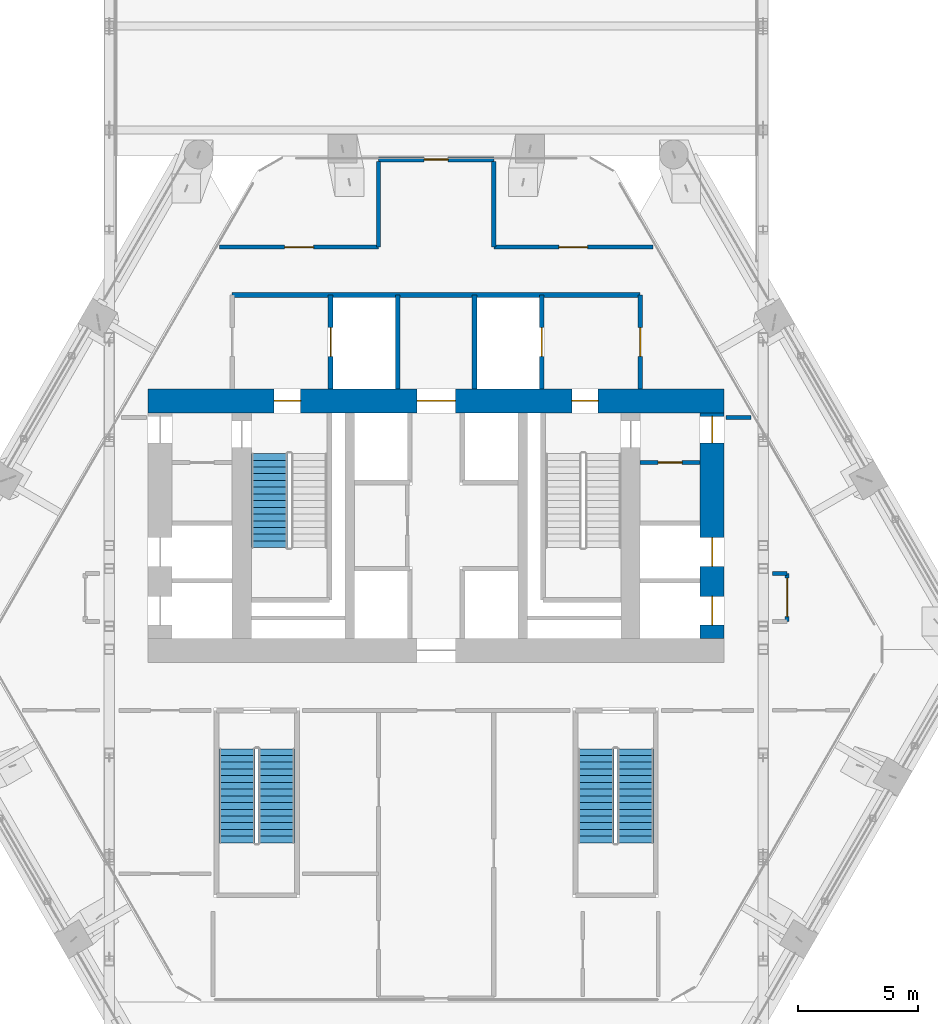
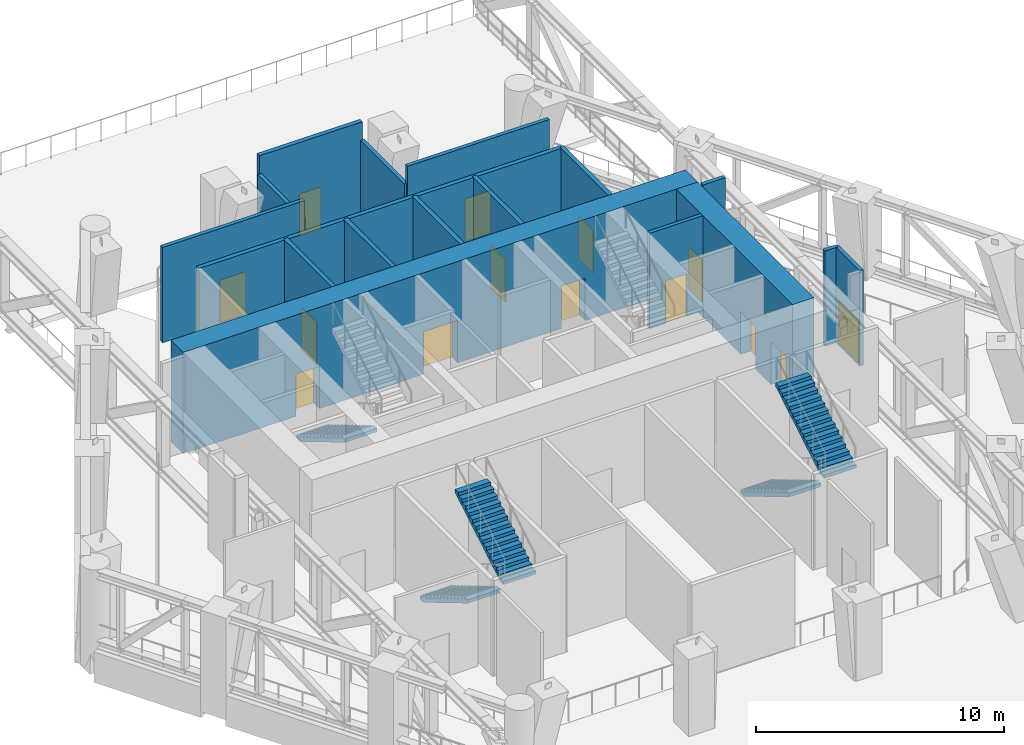
# One storey, part 11 of 22: 17 walls, 14 doors, 5 stair flights, 14 openings, 3 elements without a shape of their own.
"""IFC4 building model written with IfcOpenShell, lengths in metres."""

import ifcopenshell
import ifcopenshell.guid

model = None  # the IFC model being written
_history = None  # IfcOwnerHistory: only IFC2X3 demands one
_inside = {}  # id of a spatial element -> (the spatial element, [elements in it])
_under = {}  # id of a project, library or spatial element -> (it, [spatial elements below it])
_declared = {}  # id of a project -> (the project, [libraries it declares])
_typed = {}  # id of a type object -> (the type object, [elements of that type])
_made_of = {}  # id of a material, layer set ... -> (it, [elements and type objects made of it])


def new_model(schema):
    """Start an empty IFC model of exactly this schema.

    Asked for "IFC4X3", IfcOpenShell would pick the latest addendum, in which some entities
    have other attributes; the version numbers below select the first issue.
    IFC2X3 requires an IfcOwnerHistory on every rooted entity: one is made here for all.
    """
    global model, _history
    if schema == "IFC4X3":
        model = ifcopenshell.file(schema_version=(4, 3, 0, 0))
    else:
        model = ifcopenshell.file(schema=schema)
    _inside.clear()
    _under.clear()
    _declared.clear()
    _typed.clear()
    _made_of.clear()
    _history = None
    if model.schema == "IFC2X3":
        org = make("IfcOrganization", Name="unknown")
        user = make(
            "IfcPersonAndOrganization",
            ThePerson=make("IfcPerson", FamilyName="unknown"),
            TheOrganization=org,
        )
        app = make(
            "IfcApplication",
            ApplicationDeveloper=org,
            Version="unknown",
            ApplicationFullName="unknown",
            ApplicationIdentifier="unknown",
        )
        _history = make(
            "IfcOwnerHistory",
            OwningUser=user,
            OwningApplication=app,
            ChangeAction="ADDED",
            CreationDate=0,
        )
    return model


def make(cls, **values):
    """One entity of the class cls with the attributes given. An attribute that is None is left unset."""
    return model.create_entity(
        cls, **{name: value for name, value in values.items() if value is not None}
    )


def rooted(cls, **values):
    """An entity with a GlobalId (a new one), such as an element, a storey or a relation."""
    return make(cls, GlobalId=ifcopenshell.guid.new(), OwnerHistory=_history, **values)


def si_unit(unit_type, name, prefix=None):
    """IfcSIUnit, for example si_unit("LENGTHUNIT", "METRE", prefix="MILLI")."""
    return make("IfcSIUnit", UnitType=unit_type, Prefix=prefix, Name=name)


def assignment(units):
    """IfcUnitAssignment: the units of a project."""
    return None if units is None else make("IfcUnitAssignment", Units=units)


def point(xyz):
    """IfcCartesianPoint."""
    return None if xyz is None else make("IfcCartesianPoint", Coordinates=xyz)


def direction(xyz):
    """IfcDirection."""
    return None if xyz is None else make("IfcDirection", DirectionRatios=xyz)


def frame(location, z_axis=None, x_axis=None):
    """IfcAxis2Placement3D, a coordinate frame: its origin and axes. An axis left out is left unset."""
    return make(
        "IfcAxis2Placement3D",
        Location=point(location),
        Axis=direction(z_axis),
        RefDirection=direction(x_axis),
    )


def frame_2d(location, x_axis=None):
    """IfcAxis2Placement2D, a coordinate frame in the plane: its origin and x axis."""
    return make(
        "IfcAxis2Placement2D", Location=point(location), RefDirection=direction(x_axis)
    )


def origin():
    """The frame at (0, 0, 0) with its axes left unset."""
    return frame((0.0, 0.0, 0.0))


def place(relative_to, where):
    """IfcLocalPlacement: puts the frame where relative to a parent placement (None: the world)."""
    return make(
        "IfcLocalPlacement", PlacementRelTo=relative_to, RelativePlacement=where
    )


def context(
    kind, dimensions, precision=None, world=None, true_north=None, identifier=None
):
    """IfcGeometricRepresentationContext, for example the 3D "Model" context."""
    return make(
        "IfcGeometricRepresentationContext",
        ContextIdentifier=identifier,
        ContextType=kind,
        CoordinateSpaceDimension=dimensions,
        Precision=precision,
        WorldCoordinateSystem=world,
        TrueNorth=true_north,
    )


def subcontext(parent, identifier, kind, view, scale=None):
    """IfcGeometricRepresentationSubContext, for example "Body" below "Model"."""
    return make(
        "IfcGeometricRepresentationSubContext",
        ContextIdentifier=identifier,
        ContextType=kind,
        ParentContext=parent,
        TargetScale=scale,
        TargetView=view,
    )


def project(units=None, contexts=None):
    """IfcProject with its units and contexts."""
    return rooted(
        "IfcProject",
        Name="project",
        RepresentationContexts=contexts,
        UnitsInContext=assignment(units),
    )


def spatial(cls, under=None, at=None, **own):
    """A site, building, storey or space (cls), placed at a placement, below another one or the project."""
    s = rooted(cls, ObjectPlacement=at, **own)
    if under is not None:
        _under.setdefault(under.id(), (under, []))[1].append(s)
    return s


def polyline(points):
    """IfcPolyline through the points."""
    return make("IfcPolyline", Points=[point(p) for p in points])


def profile(cls, at=None, kind="AREA", **sizes):
    """A parametric profile (cls). Its sizes go by their IFC names, for example OverallWidth=200.0."""
    return make(cls, ProfileType=kind, Position=at, **sizes)


def rectangle(**sizes):
    """IfcRectangleProfileDef."""
    return profile("IfcRectangleProfileDef", **sizes)


def outline(outer, holes=None, kind="AREA"):
    """IfcArbitraryClosedProfileDef: a profile drawn as a closed curve; with holes, ...WithVoids."""
    if holes is None:
        return make("IfcArbitraryClosedProfileDef", ProfileType=kind, OuterCurve=outer)
    return make(
        "IfcArbitraryProfileDefWithVoids",
        ProfileType=kind,
        OuterCurve=outer,
        InnerCurves=holes,
    )


def extrude(swept, where, along, depth):
    """IfcExtrudedAreaSolid: the profile swept, set in the frame where, extruded along a direction by depth."""
    return make(
        "IfcExtrudedAreaSolid",
        SweptArea=swept,
        Position=where,
        ExtrudedDirection=direction(along),
        Depth=depth,
    )


def shape(context_of_items, identifier, shape_type, items):
    """IfcShapeRepresentation: the items that make up one representation, for example the "Body"."""
    return make(
        "IfcShapeRepresentation",
        ContextOfItems=context_of_items,
        RepresentationIdentifier=identifier,
        RepresentationType=shape_type,
        Items=items,
    )


def material(Name=None, Category=None):
    """IfcMaterial."""
    return make("IfcMaterial", Name=Name, Category=Category)


def layer(
    of_material, thickness, ventilated=None, Name=None, Category=None, Priority=None
):
    """IfcMaterialLayer: one layer of a wall or slab, of a material (None: an air gap)."""
    return make(
        "IfcMaterialLayer",
        Material=of_material,
        LayerThickness=thickness,
        IsVentilated=ventilated,
        Name=Name,
        Category=Category,
        Priority=Priority,
    )


def layer_set(layers, Name=None):
    """IfcMaterialLayerSet."""
    return make("IfcMaterialLayerSet", MaterialLayers=layers, LayerSetName=Name)


def made_of(thing, what):
    """Note that an element or type object is made of a material, layer set ...; save() writes the relation."""
    if what is not None:
        _made_of.setdefault(what.id(), (what, []))[1].append(thing)
    return thing


def type_object(cls, material=None, **own):
    """A type object (cls), such as IfcWallType, which elements share."""
    return made_of(rooted(cls, **own), material)


def element(
    cls,
    number,
    at=None,
    inside=None,
    cuts=None,
    type_object=None,
    material=None,
    context=None,
    identifier="Body",
    shape_type=None,
    held_by="IfcProductDefinitionShape",
    body=None,
    shapes=None,
    **own,
):
    """One element of the class cls, such as IfcWall. Its Tag is "e" and its number.

    at: its placement. inside: the storey or other place that contains it. cuts: it is an
    opening in that element (IfcRelVoidsElement). A single representation is given by context,
    identifier, shape_type and body (its items); several are given by shapes. held_by: the class
    of the entity that holds the representations. save() writes the other relations.
    """
    e = rooted(cls, Tag="e%d" % number, ObjectPlacement=at, **own)
    if body is not None:
        shapes = [shape(context, identifier, shape_type, body)]
    if shapes is not None:
        e.Representation = make(held_by, Representations=shapes)
    if inside is not None:
        _inside.setdefault(inside.id(), (inside, []))[1].append(e)
    if cuts is not None:
        rooted(
            "IfcRelVoidsElement", RelatingBuildingElement=cuts, RelatedOpeningElement=e
        )
    if type_object is not None:
        _typed.setdefault(type_object.id(), (type_object, []))[1].append(e)
    return made_of(e, material)


def fill(opening, filler):
    """IfcRelFillsElement: the door or window that sits in an opening."""
    return rooted(
        "IfcRelFillsElement",
        RelatingOpeningElement=opening,
        RelatedBuildingElement=filler,
    )


def aggregate(whole, parts):
    """IfcRelAggregates: a whole, such as a stair, and the parts it consists of."""
    return rooted("IfcRelAggregates", RelatingObject=whole, RelatedObjects=parts)


def save(model, path):
    """Write the relations noted so far, then the file.

    IfcRelAggregates (storeys below a building ...), IfcRelContainedInSpatialStructure (elements
    in a storey), IfcRelDefinesByType, IfcRelAssociatesMaterial and IfcRelDeclares: one each for
    every whole, place, type object, material and project.
    """
    for whole, parts in _under.values():
        aggregate(whole, parts)
    for where, things in _inside.values():
        rooted(
            "IfcRelContainedInSpatialStructure",
            RelatedElements=things,
            RelatingStructure=where,
        )
    for kind, things in _typed.values():
        rooted("IfcRelDefinesByType", RelatedObjects=things, RelatingType=kind)
    for what, things in _made_of.values():
        rooted("IfcRelAssociatesMaterial", RelatedObjects=things, RelatingMaterial=what)
    for by, libraries in _declared.values():
        rooted("IfcRelDeclares", RelatingContext=by, RelatedDefinitions=libraries)
    model.write(path)


model = new_model("IFC4")

# Units and contexts
model_context = context("Model", 3, precision=1e-05, world=origin(), true_north=direction((0.0, 1.0)))
body_context = subcontext(model_context, "Body", "Model", "MODEL_VIEW")
ifc_project = project(units=[si_unit("LENGTHUNIT", "METRE"), si_unit("AREAUNIT", "SQUARE_METRE"), si_unit("VOLUMEUNIT", "CUBIC_METRE"), si_unit("PLANEANGLEUNIT", "RADIAN"), si_unit("MASSUNIT", "GRAM", prefix="KILO")], contexts=[model_context])

# Site, building, storey
site_placement = place(None, origin())
site = spatial("IfcSite", under=ifc_project, at=site_placement, CompositionType="ELEMENT")
building_placement = place(site_placement, origin())
building = spatial("IfcBuilding", under=site, at=building_placement, Name="Ostrander Bayou Hotel Tower", CompositionType="ELEMENT")
storey_placement = place(building_placement, frame((0.0, 0.0, 146.0)))
storey = spatial("IfcBuildingStorey", under=building, at=storey_placement, Name="L36", CompositionType="ELEMENT", Elevation=146.0)

# Wall, openings, doors
ifc_material_1 = material(Name="Concrete f'c 70 MPa", Category="concrete")
ifc_layer_1 = layer(ifc_material_1, 1.0)
ifc_layer_set_1 = layer_set([ifc_layer_1], Name="CW4 core wall 1000 mm f'c 70 MPa")
wall_type_1 = type_object("IfcWallType", Name="CW4 core wall 1000 mm f'c 70 MPa", PredefinedType="SHEAR", material=ifc_layer_set_1)
wall_1_placement = place(storey_placement, frame((-12.0, 9.199951171875, -0.300048828125), z_axis=(0.0, 0.0, 1.0), x_axis=(1.0, 0.0, 0.0)))
wall_1 = element("IfcWall", 1, at=wall_1_placement, inside=storey, type_object=wall_type_1, Name="CW4 L36 N", PredefinedType="SHEAR", context=body_context, shape_type="SweptSolid", body=[
    extrude(rectangle(XDim=24.0, YDim=1.0, at=frame_2d((12.0, 0.0))), origin(), (0.0, 0.0, 1.0), 5.0),
])
opening_1_placement = place(wall_1_placement, frame((11.199951171875, 0.0, 0.0)))
opening_1 = element("IfcOpeningElement", 2, at=opening_1_placement, cuts=wall_1, Name="Opening T36-002", PredefinedType="OPENING", context=body_context, shape_type="SweptSolid", body=[
    extrude(rectangle(XDim=1.60009765625, YDim=2.10009765625, at=frame_2d((0.800048828125, 1.050048828125))), frame((0.0, 0.5, 0.0), z_axis=(0.0, -1.0, 0.0), x_axis=(1.0, 0.0, 0.0)), (0.0, 0.0, 1.0), 1.0),
])
opening_2_placement = place(wall_1_placement, frame((5.25, 0.0, 0.0)))
opening_2 = element("IfcOpeningElement", 3, at=opening_2_placement, cuts=wall_1, Name="Opening T36-003", PredefinedType="OPENING", context=body_context, shape_type="SweptSolid", body=[
    extrude(rectangle(XDim=1.10009765625, YDim=2.10009765625, at=frame_2d((0.550048828125, 1.050048828125))), frame((0.0, 0.5, 0.0), z_axis=(0.0, -1.0, 0.0), x_axis=(1.0, 0.0, 0.0)), (0.0, 0.0, 1.0), 1.0),
])
opening_3_placement = place(wall_1_placement, frame((17.64990234375, 0.0, 0.0)))
opening_3 = element("IfcOpeningElement", 4, at=opening_3_placement, cuts=wall_1, Name="Opening T36-005", PredefinedType="OPENING", context=body_context, shape_type="SweptSolid", body=[
    extrude(rectangle(XDim=1.10009765625, YDim=2.10009765625, at=frame_2d((0.550048828125, 1.050048828125))), frame((0.0, 0.5, 0.0), z_axis=(0.0, -1.0, 0.0), x_axis=(1.0, 0.0, 0.0)), (0.0, 0.0, 1.0), 1.0),
])
ifc_material_2 = material(Name="Timber door leaf", Category="wood")
door_type_1 = type_object("IfcDoorType", Name="D13 double door 1600 x 2100 mm, 1 hour", OperationType="SINGLE_SWING_LEFT", PredefinedType="DOOR", material=ifc_material_2)
door_1_placement = place(opening_1_placement, origin())
door_1 = element("IfcDoor", 5, at=door_1_placement, inside=storey, type_object=door_type_1, Name="dr:L36:002", OperationType="DOUBLE_DOOR_SINGLE_SWING", OverallHeight=2.10009765625, OverallWidth=1.60009765625, PredefinedType="DOOR", context=body_context, shape_type="SweptSolid", body=[
    extrude(rectangle(XDim=1.60009765625, YDim=2.10009765625, at=frame_2d((0.800048828125, 1.050048828125))), frame((0.0, 0.02490234375, 0.0), z_axis=(0.0, -1.0, 0.0), x_axis=(1.0, 0.0, 0.0)), (0.0, 0.0, 1.0), 0.050048828125),
])
fill(opening_1, door_1)
ifc_material_3 = material(Name="Timber door leaf", Category="wood")
door_type_2 = type_object("IfcDoorType", Name="D5 stair door 1100 x 2100 mm, 90 minute", OperationType="SINGLE_SWING_LEFT", PredefinedType="DOOR", material=ifc_material_3)
door_2_placement = place(opening_2_placement, origin())
door_2 = element("IfcDoor", 6, at=door_2_placement, inside=storey, type_object=door_type_2, Name="dr:L36:003", OperationType="SINGLE_SWING_LEFT", OverallHeight=2.10009765625, OverallWidth=1.10009765625, PredefinedType="DOOR", context=body_context, shape_type="SweptSolid", body=[
    extrude(rectangle(XDim=1.10009765625, YDim=2.10009765625, at=frame_2d((0.550048828125, 1.050048828125))), frame((0.0, 0.02490234375, 0.0), z_axis=(0.0, -1.0, 0.0), x_axis=(1.0, 0.0, 0.0)), (0.0, 0.0, 1.0), 0.050048828125),
])
fill(opening_2, door_2)
door_3_placement = place(opening_3_placement, origin())
door_3 = element("IfcDoor", 7, at=door_3_placement, inside=storey, type_object=door_type_2, Name="dr:L36:005", OperationType="SINGLE_SWING_RIGHT", OverallHeight=2.10009765625, OverallWidth=1.10009765625, PredefinedType="DOOR", context=body_context, shape_type="SweptSolid", body=[
    extrude(rectangle(XDim=1.10009765625, YDim=2.10009765625, at=frame_2d((0.550048828125, 1.050048828125))), frame((0.0, 0.02490234375, 0.0), z_axis=(0.0, -1.0, 0.0), x_axis=(1.0, 0.0, 0.0)), (0.0, 0.0, 1.0), 0.050048828125),
])
fill(opening_3, door_3)

wall_2_placement = place(storey_placement, frame((11.5, -0.699951171875, -0.300048828125), z_axis=(0.0, 0.0, 1.0), x_axis=(0.0, 1.0, 0.0)))
wall_2 = element("IfcWall", 8, at=wall_2_placement, inside=storey, type_object=wall_type_1, Name="CW4 L36 RE", PredefinedType="SHEAR", context=body_context, shape_type="SweptSolid", body=[
    extrude(rectangle(XDim=9.39990234375, YDim=1.0, at=frame_2d((4.699951171875, 0.0))), origin(), (0.0, 0.0, 1.0), 5.0),
])
opening_4_placement = place(wall_2_placement, frame((8.14990234375, 0.0, 0.0)))
opening_4 = element("IfcOpeningElement", 9, at=opening_4_placement, cuts=wall_2, Name="Opening T36-019", PredefinedType="OPENING", context=body_context, shape_type="SweptSolid", body=[
    extrude(rectangle(XDim=1.10009765625, YDim=2.10009765625, at=frame_2d((0.550048828125, 1.050048828125))), frame((0.0, 0.5, 0.0), z_axis=(0.0, -1.0, 0.0), x_axis=(1.0, 0.0, 0.0)), (0.0, 0.0, 1.0), 1.0),
])
opening_5_placement = place(wall_2_placement, frame((0.550048828125, 0.0, 0.0)))
opening_5 = element("IfcOpeningElement", 10, at=opening_5_placement, cuts=wall_2, Name="Opening T36-020", PredefinedType="OPENING", context=body_context, shape_type="SweptSolid", body=[
    extrude(rectangle(XDim=1.199951171875, YDim=2.10009765625, at=frame_2d((0.60009765625, 1.050048828125))), frame((0.0, 0.5, 0.0), z_axis=(0.0, -1.0, 0.0), x_axis=(1.0, 0.0, 0.0)), (0.0, 0.0, 1.0), 1.0),
])
opening_6_placement = place(wall_2_placement, frame((3.0, 0.0, 0.0)))
opening_6 = element("IfcOpeningElement", 11, at=opening_6_placement, cuts=wall_2, Name="Opening T36-021", PredefinedType="OPENING", context=body_context, shape_type="SweptSolid", body=[
    extrude(rectangle(XDim=1.199951171875, YDim=2.10009765625, at=frame_2d((0.60009765625, 1.050048828125))), frame((0.0, 0.5, 0.0), z_axis=(0.0, -1.0, 0.0), x_axis=(1.0, 0.0, 0.0)), (0.0, 0.0, 1.0), 1.0),
])
door_4_placement = place(opening_4_placement, origin())
door_4 = element("IfcDoor", 12, at=door_4_placement, inside=storey, type_object=door_type_2, Name="dr:L36:019", OperationType="SINGLE_SWING_RIGHT", OverallHeight=2.10009765625, OverallWidth=1.10009765625, PredefinedType="DOOR", context=body_context, shape_type="SweptSolid", body=[
    extrude(rectangle(XDim=1.10009765625, YDim=2.10009765625, at=frame_2d((0.550048828125, 1.050048828125))), frame((0.0, 0.02490234375, 0.0), z_axis=(0.0, -1.0, 0.0), x_axis=(1.0, 0.0, 0.0)), (0.0, 0.0, 1.0), 0.050048828125),
])
fill(opening_4, door_4)
ifc_material_4 = material(Name="Stainless steel sliding door", Category="steel")
door_type_3 = type_object("IfcDoorType", Name="LD1 lift landing door 1200 x 2100 mm", OperationType="SINGLE_SWING_LEFT", PredefinedType="DOOR", material=ifc_material_4)
door_5_placement = place(opening_5_placement, origin())
door_5 = element("IfcDoor", 13, at=door_5_placement, inside=storey, type_object=door_type_3, Name="dr:L36:020", OperationType="SLIDING_TO_LEFT", OverallHeight=2.10009765625, OverallWidth=1.199951171875, PredefinedType="DOOR", context=body_context, shape_type="SweptSolid", body=[
    extrude(rectangle(XDim=1.199951171875, YDim=2.10009765625, at=frame_2d((0.60009765625, 1.050048828125))), frame((0.0, 0.02490234375, 0.0), z_axis=(0.0, -1.0, 0.0), x_axis=(1.0, 0.0, 0.0)), (0.0, 0.0, 1.0), 0.050048828125),
])
fill(opening_5, door_5)
door_6_placement = place(opening_6_placement, origin())
door_6 = element("IfcDoor", 14, at=door_6_placement, inside=storey, type_object=door_type_3, Name="dr:L36:021", OperationType="SLIDING_TO_LEFT", OverallHeight=2.10009765625, OverallWidth=1.199951171875, PredefinedType="DOOR", context=body_context, shape_type="SweptSolid", body=[
    extrude(rectangle(XDim=1.199951171875, YDim=2.10009765625, at=frame_2d((0.60009765625, 1.050048828125))), frame((0.0, 0.02490234375, 0.0), z_axis=(0.0, -1.0, 0.0), x_axis=(1.0, 0.0, 0.0)), (0.0, 0.0, 1.0), 0.050048828125),
])
fill(opening_6, door_6)

# Wall, opening, door
ifc_material_5 = material(Name="Gypsum board partition", Category="finish")
ifc_layer_2 = layer(ifc_material_5, 0.175048828125)
ifc_layer_set_2 = layer_set([ifc_layer_2], Name="PT4 corridor wall 175 mm, 1 hour")
wall_type_2 = type_object("IfcWallType", Name="PT4 corridor wall 175 mm, 1 hour", PredefinedType="PARTITIONING", material=ifc_layer_set_2)
wall_3_placement = place(storey_placement, frame((8.5, 6.6298828125, 0.0), z_axis=(0.0, 0.0, 1.0), x_axis=(1.0, 0.0, 0.0)))
wall_3 = element("IfcWall", 15, at=wall_3_placement, inside=storey, type_object=wall_type_2, Name="cs:L36:036", PredefinedType="PARTITIONING", context=body_context, shape_type="SweptSolid", body=[
    extrude(rectangle(XDim=2.5, YDim=0.175048828125, at=frame_2d((1.25, 0.0))), origin(), (0.0, 0.0, 1.0), 4.699951171875),
])
opening_7_placement = place(wall_3_placement, frame((0.75, 0.0, 0.0)))
opening_7 = element("IfcOpeningElement", 16, at=opening_7_placement, cuts=wall_3, Name="Opening T36-018", PredefinedType="OPENING", context=body_context, shape_type="SweptSolid", body=[
    extrude(rectangle(XDim=1.0, YDim=2.10009765625, at=frame_2d((0.5, 1.050048828125))), frame((0.0, 0.08740234375, 0.0), z_axis=(0.0, -1.0, 0.0), x_axis=(1.0, 0.0, 0.0)), (0.0, 0.0, 1.0), 0.175048828125),
])
ifc_material_6 = material(Name="Timber door leaf", Category="wood")
door_type_4 = type_object("IfcDoorType", Name="D4 corridor door 1000 x 2100 mm, 1 hour", OperationType="SINGLE_SWING_LEFT", PredefinedType="DOOR", material=ifc_material_6)
door_7_placement = place(opening_7_placement, origin())
door_7 = element("IfcDoor", 17, at=door_7_placement, inside=storey, type_object=door_type_4, Name="dr:L36:018", OperationType="SINGLE_SWING_RIGHT", OverallHeight=2.10009765625, OverallWidth=1.0, PredefinedType="DOOR", context=body_context, shape_type="SweptSolid", body=[
    extrude(rectangle(XDim=1.0, YDim=2.10009765625, at=frame_2d((0.5, 1.050048828125))), frame((0.0, 0.02490234375, 0.0), z_axis=(0.0, -1.0, 0.0), x_axis=(1.0, 0.0, 0.0)), (0.0, 0.0, 1.0), 0.050048828125),
])
fill(opening_7, door_7)

# Walls
wall_4_placement = place(storey_placement, frame((14.02001953125, 2.007080078125, 0.0), z_axis=(0.0, 0.0, 1.0), x_axis=(1.0, 0.0, 0.0)))
element("IfcWall", 18, at=wall_4_placement, inside=storey, type_object=wall_type_2, Name="sw:L36:007", PredefinedType="PARTITIONING", context=body_context, shape_type="SweptSolid", body=[
    extrude(rectangle(XDim=0.60009765625, YDim=0.175048828125, at=frame_2d((0.300048828125, 0.0))), origin(), (0.0, 0.0, 1.0), 4.699951171875),
])
wall_5_placement = place(storey_placement, frame((12.080078125, 8.5, 0.0), z_axis=(0.0, 0.0, 1.0), x_axis=(1.0, 0.0, 0.0)))
element("IfcWall", 19, at=wall_5_placement, inside=storey, type_object=wall_type_2, Name="sw:L36:009", PredefinedType="PARTITIONING", context=body_context, shape_type="SweptSolid", body=[
    extrude(rectangle(XDim=1.04150390625, YDim=0.175048828125, at=frame_2d((0.520751953125, 0.0))), origin(), (0.0, 0.0, 1.0), 4.699951171875),
])

# Wall, opening, door
wall_6_placement = place(storey_placement, frame((-9.022216796875, 15.60009765625, 0.0), z_axis=(0.0, 0.0, 1.0), x_axis=(1.0, 0.0, 0.0)))
wall_6 = element("IfcWall", 20, at=wall_6_placement, inside=storey, type_object=wall_type_2, Name="sw:L36:010", PredefinedType="PARTITIONING", context=body_context, shape_type="SweptSolid", body=[
    extrude(rectangle(XDim=6.6220703125, YDim=0.175048828125, at=frame_2d((3.31103515625, 0.0))), origin(), (0.0, 0.0, 1.0), 4.699951171875),
])
opening_8_placement = place(wall_6_placement, frame((2.711181640625, 0.0, 0.0)))
opening_8 = element("IfcOpeningElement", 21, at=opening_8_placement, cuts=wall_6, Name="Opening T36-212", PredefinedType="OPENING", context=body_context, shape_type="SweptSolid", body=[
    extrude(rectangle(XDim=1.199951171875, YDim=2.10009765625, at=frame_2d((0.60009765625, 1.050048828125))), frame((0.0, 0.08740234375, 0.0), z_axis=(0.0, -1.0, 0.0), x_axis=(1.0, 0.0, 0.0)), (0.0, 0.0, 1.0), 0.175048828125),
])
ifc_material_7 = material(Name="Timber door leaf", Category="wood")
door_type_5 = type_object("IfcDoorType", Name="D10 plant room door 1200 x 2100 mm, 1 hour", OperationType="SINGLE_SWING_LEFT", PredefinedType="DOOR", material=ifc_material_7)
door_8_placement = place(opening_8_placement, origin())
door_8 = element("IfcDoor", 22, at=door_8_placement, inside=storey, type_object=door_type_5, Name="dr:L36:212", OperationType="SINGLE_SWING_RIGHT", OverallHeight=2.10009765625, OverallWidth=1.199951171875, PredefinedType="DOOR", context=body_context, shape_type="SweptSolid", body=[
    extrude(rectangle(XDim=1.199951171875, YDim=2.10009765625, at=frame_2d((0.60009765625, 1.050048828125))), frame((0.0, 0.02490234375, 0.0), z_axis=(0.0, -1.0, 0.0), x_axis=(1.0, 0.0, 0.0)), (0.0, 0.0, 1.0), 0.050048828125),
])
fill(opening_8, door_8)

wall_7_placement = place(storey_placement, frame((2.400146484375, 15.60009765625, 0.0), z_axis=(0.0, 0.0, 1.0), x_axis=(1.0, 0.0, 0.0)))
wall_7 = element("IfcWall", 23, at=wall_7_placement, inside=storey, type_object=wall_type_2, Name="sw:L36:011", PredefinedType="PARTITIONING", context=body_context, shape_type="SweptSolid", body=[
    extrude(rectangle(XDim=6.6220703125, YDim=0.175048828125, at=frame_2d((3.31103515625, 0.0))), origin(), (0.0, 0.0, 1.0), 4.699951171875),
])
opening_9_placement = place(wall_7_placement, frame((2.711181640625, 0.0, 0.0)))
opening_9 = element("IfcOpeningElement", 24, at=opening_9_placement, cuts=wall_7, Name="Opening T36-213", PredefinedType="OPENING", context=body_context, shape_type="SweptSolid", body=[
    extrude(rectangle(XDim=1.199951171875, YDim=2.10009765625, at=frame_2d((0.60009765625, 1.050048828125))), frame((0.0, 0.08740234375, 0.0), z_axis=(0.0, -1.0, 0.0), x_axis=(1.0, 0.0, 0.0)), (0.0, 0.0, 1.0), 0.175048828125),
])
door_9_placement = place(opening_9_placement, origin())
door_9 = element("IfcDoor", 25, at=door_9_placement, inside=storey, type_object=door_type_5, Name="dr:L36:213", OperationType="SINGLE_SWING_LEFT", OverallHeight=2.10009765625, OverallWidth=1.199951171875, PredefinedType="DOOR", context=body_context, shape_type="SweptSolid", body=[
    extrude(rectangle(XDim=1.199951171875, YDim=2.10009765625, at=frame_2d((0.60009765625, 1.050048828125))), frame((0.0, 0.02490234375, 0.0), z_axis=(0.0, -1.0, 0.0), x_axis=(1.0, 0.0, 0.0)), (0.0, 0.0, 1.0), 0.050048828125),
])
fill(opening_9, door_9)

# Walls
for number, where, z_axis, x_axis, name in (
    (26, (-2.39990234375, 15.60009765625, 0.0), (0.0, 0.0, 1.0), (0.0, 1.0, 0.0), "sw:L36:014"),
    (27, (2.39990234375, 15.60009765625, 0.0), (0.0, 0.0, 1.0), (0.0, 1.0, 0.0), "sw:L36:016"),
):
    element("IfcWall", number, at=place(storey_placement, frame(where, z_axis=z_axis, x_axis=x_axis)), inside=storey, type_object=wall_type_2, Name=name, PredefinedType="PARTITIONING", context=body_context, shape_type="SweptSolid", body=[
        extrude(rectangle(XDim=3.56982421875, YDim=0.175048828125, at=frame_2d((1.784912109375, 0.0))), origin(), (0.0, 0.0, 1.0), 3.800048828125),
    ])

# Wall, opening, door
wall_8_placement = place(storey_placement, frame((14.6201171875, 0.00732421875, 0.0), z_axis=(0.0, 0.0, 1.0), x_axis=(0.0, 1.0, 0.0)))
wall_8 = element("IfcWall", 28, at=wall_8_placement, inside=storey, type_object=wall_type_2, Name="sw:L36:017", PredefinedType="PARTITIONING", context=body_context, shape_type="SweptSolid", body=[
    extrude(rectangle(XDim=2.0, YDim=0.175048828125, at=frame_2d((1.0, 0.0))), origin(), (0.0, 0.0, 1.0), 4.699951171875),
])
opening_10_placement = place(wall_8_placement, frame((0.199951171875, 0.0, 0.0)))
opening_10 = element("IfcOpeningElement", 29, at=opening_10_placement, cuts=wall_8, Name="Opening T36-202", PredefinedType="OPENING", context=body_context, shape_type="SweptSolid", body=[
    extrude(rectangle(XDim=1.60009765625, YDim=2.10009765625, at=frame_2d((0.800048828125, 1.050048828125))), frame((0.0, 0.08740234375, 0.0), z_axis=(0.0, -1.0, 0.0), x_axis=(1.0, 0.0, 0.0)), (0.0, 0.0, 1.0), 0.175048828125),
])
door_10_placement = place(opening_10_placement, origin())
door_10 = element("IfcDoor", 30, at=door_10_placement, inside=storey, type_object=door_type_1, Name="dr:L36:202", OperationType="DOUBLE_DOOR_SINGLE_SWING", OverallHeight=2.10009765625, OverallWidth=1.60009765625, PredefinedType="DOOR", context=body_context, shape_type="SweptSolid", body=[
    extrude(rectangle(XDim=1.60009765625, YDim=2.10009765625, at=frame_2d((0.800048828125, 1.050048828125))), frame((0.0, 0.02490234375, 0.0), z_axis=(0.0, -1.0, 0.0), x_axis=(1.0, 0.0, 0.0)), (0.0, 0.0, 1.0), 0.050048828125),
])
fill(opening_10, door_10)

# Wall
ifc_material_8 = material(Name="Masonry block", Category="masonry")
ifc_layer_3 = layer(ifc_material_8, 0.199951171875)
ifc_layer_set_3 = layer_set([ifc_layer_3], Name="PT5 stair enclosure wall 200 mm masonry, 2 hour")
wall_type_3 = type_object("IfcWallType", Name="PT5 stair enclosure wall 200 mm masonry, 2 hour", PredefinedType="PARTITIONING", material=ifc_layer_set_3)
wall_9_placement = place(storey_placement, frame((-8.5, 13.60009765625, 0.0), z_axis=(0.0, 0.0, 1.0), x_axis=(1.0, 0.0, 0.0)))
element("IfcWall", 31, at=wall_9_placement, inside=storey, type_object=wall_type_3, Name="cs:L36:023", PredefinedType="PARTITIONING", context=body_context, shape_type="SweptSolid", body=[
    extrude(rectangle(XDim=17.0, YDim=0.199951171875, at=frame_2d((8.5, 0.0))), origin(), (0.0, 0.0, 1.0), 4.699951171875),
])

# Wall, opening, door
wall_10_placement = place(storey_placement, frame((8.5, 9.699951171875, 0.0), z_axis=(0.0, 0.0, 1.0), x_axis=(0.0, 1.0, 0.0)))
wall_10 = element("IfcWall", 32, at=wall_10_placement, inside=storey, type_object=wall_type_3, Name="cs:L36:025", PredefinedType="PARTITIONING", context=body_context, shape_type="SweptSolid", body=[
    extrude(rectangle(XDim=3.900146484375, YDim=0.199951171875, at=frame_2d((1.9501953125, 0.0))), origin(), (0.0, 0.0, 1.0), 4.699951171875),
])
opening_11_placement = place(wall_10_placement, frame((1.35009765625, 0.0, 0.0)))
opening_11 = element("IfcOpeningElement", 33, at=opening_11_placement, cuts=wall_10, Name="Opening T36-012", PredefinedType="OPENING", context=body_context, shape_type="SweptSolid", body=[
    extrude(rectangle(XDim=1.199951171875, YDim=2.10009765625, at=frame_2d((0.60009765625, 1.050048828125))), frame((0.0, 0.10009765625, 0.0), z_axis=(0.0, -1.0, 0.0), x_axis=(1.0, 0.0, 0.0)), (0.0, 0.0, 1.0), 0.199951171875),
])
ifc_material_9 = material(Name="Timber door leaf", Category="wood")
door_type_6 = type_object("IfcDoorType", Name="D7 lobby door 1200 x 2100 mm, 1 hour", OperationType="SINGLE_SWING_LEFT", PredefinedType="DOOR", material=ifc_material_9)
door_11_placement = place(opening_11_placement, origin())
door_11 = element("IfcDoor", 34, at=door_11_placement, inside=storey, type_object=door_type_6, Name="dr:L36:012", OperationType="SINGLE_SWING_LEFT", OverallHeight=2.10009765625, OverallWidth=1.199951171875, PredefinedType="DOOR", context=body_context, shape_type="SweptSolid", body=[
    extrude(rectangle(XDim=1.199951171875, YDim=2.10009765625, at=frame_2d((0.60009765625, 1.050048828125))), frame((0.0, 0.02490234375, 0.0), z_axis=(0.0, -1.0, 0.0), x_axis=(1.0, 0.0, 0.0)), (0.0, 0.0, 1.0), 0.050048828125),
])
fill(opening_11, door_11)

wall_11_placement = place(storey_placement, frame((-4.39990234375, 9.699951171875, 0.0), z_axis=(0.0, 0.0, 1.0), x_axis=(0.0, 1.0, 0.0)))
wall_11 = element("IfcWall", 35, at=wall_11_placement, inside=storey, type_object=wall_type_3, Name="cs:L36:026", PredefinedType="PARTITIONING", context=body_context, shape_type="SweptSolid", body=[
    extrude(rectangle(XDim=3.900146484375, YDim=0.199951171875, at=frame_2d((1.9501953125, 0.0))), origin(), (0.0, 0.0, 1.0), 4.699951171875),
])
opening_12_placement = place(wall_11_placement, frame((1.35009765625, 0.0, 0.0)))
opening_12 = element("IfcOpeningElement", 36, at=opening_12_placement, cuts=wall_11, Name="Opening T36-009", PredefinedType="OPENING", context=body_context, shape_type="SweptSolid", body=[
    extrude(rectangle(XDim=1.199951171875, YDim=2.10009765625, at=frame_2d((0.60009765625, 1.050048828125))), frame((0.0, 0.10009765625, 0.0), z_axis=(0.0, -1.0, 0.0), x_axis=(1.0, 0.0, 0.0)), (0.0, 0.0, 1.0), 0.199951171875),
])
door_12_placement = place(opening_12_placement, origin())
door_12 = element("IfcDoor", 37, at=door_12_placement, inside=storey, type_object=door_type_3, Name="dr:L36:009", OperationType="SLIDING_TO_LEFT", OverallHeight=2.10009765625, OverallWidth=1.199951171875, PredefinedType="DOOR", context=body_context, shape_type="SweptSolid", body=[
    extrude(rectangle(XDim=1.199951171875, YDim=2.10009765625, at=frame_2d((0.60009765625, 1.050048828125))), frame((0.0, 0.02490234375, 0.0), z_axis=(0.0, -1.0, 0.0), x_axis=(1.0, 0.0, 0.0)), (0.0, 0.0, 1.0), 0.050048828125),
])
fill(opening_12, door_12)

wall_12_placement = place(storey_placement, frame((4.39990234375, 9.699951171875, 0.0), z_axis=(0.0, 0.0, 1.0), x_axis=(0.0, 1.0, 0.0)))
wall_12 = element("IfcWall", 38, at=wall_12_placement, inside=storey, type_object=wall_type_3, Name="cs:L36:027", PredefinedType="PARTITIONING", context=body_context, shape_type="SweptSolid", body=[
    extrude(rectangle(XDim=3.900146484375, YDim=0.199951171875, at=frame_2d((1.9501953125, 0.0))), origin(), (0.0, 0.0, 1.0), 4.699951171875),
])
opening_13_placement = place(wall_12_placement, frame((1.35009765625, 0.0, 0.0)))
opening_13 = element("IfcOpeningElement", 39, at=opening_13_placement, cuts=wall_12, Name="Opening T36-011", PredefinedType="OPENING", context=body_context, shape_type="SweptSolid", body=[
    extrude(rectangle(XDim=1.199951171875, YDim=2.10009765625, at=frame_2d((0.60009765625, 1.050048828125))), frame((0.0, 0.10009765625, 0.0), z_axis=(0.0, -1.0, 0.0), x_axis=(1.0, 0.0, 0.0)), (0.0, 0.0, 1.0), 0.199951171875),
])
door_13_placement = place(opening_13_placement, origin())
door_13 = element("IfcDoor", 40, at=door_13_placement, inside=storey, type_object=door_type_3, Name="dr:L36:011", OperationType="SLIDING_TO_LEFT", OverallHeight=2.10009765625, OverallWidth=1.199951171875, PredefinedType="DOOR", context=body_context, shape_type="SweptSolid", body=[
    extrude(rectangle(XDim=1.199951171875, YDim=2.10009765625, at=frame_2d((0.60009765625, 1.050048828125))), frame((0.0, 0.02490234375, 0.0), z_axis=(0.0, -1.0, 0.0), x_axis=(1.0, 0.0, 0.0)), (0.0, 0.0, 1.0), 0.050048828125),
])
fill(opening_13, door_13)

# Walls
ifc_material_10 = material(Name="Masonry block", Category="masonry")
ifc_layer_4 = layer(ifc_material_10, 0.199951171875)
ifc_layer_set_4 = layer_set([ifc_layer_4], Name="PT6 lift shaft wall 200 mm masonry, 2 hour")
wall_type_4 = type_object("IfcWallType", Name="PT6 lift shaft wall 200 mm masonry, 2 hour", PredefinedType="PARTITIONING", material=ifc_layer_set_4)
for number, where, z_axis, x_axis, name in (
    (41, (-1.60009765625, 9.699951171875, 0.0), (0.0, 0.0, 1.0), (0.0, 1.0, 0.0), "cs:L36:028"),
    (42, (1.60009765625, 9.699951171875, 0.0), (0.0, 0.0, 1.0), (0.0, 1.0, 0.0), "cs:L36:029"),
):
    element("IfcWall", number, at=place(storey_placement, frame(where, z_axis=z_axis, x_axis=x_axis)), inside=storey, type_object=wall_type_4, Name=name, PredefinedType="PARTITIONING", context=body_context, shape_type="SweptSolid", body=[
        extrude(rectangle(XDim=3.900146484375, YDim=0.199951171875, at=frame_2d((1.9501953125, 0.0))), origin(), (0.0, 0.0, 1.0), 4.699951171875),
    ])

# Wall, opening, door
ifc_material_11 = material(Name="Masonry block", Category="masonry")
ifc_layer_5 = layer(ifc_material_11, 0.199951171875)
ifc_layer_set_5 = layer_set([ifc_layer_5], Name="PT9 exterior screen wall 200 mm masonry, 1 hour")
wall_type_5 = type_object("IfcWallType", Name="PT9 exterior screen wall 200 mm masonry, 1 hour", PredefinedType="PARTITIONING", material=ifc_layer_set_5)
wall_13_placement = place(storey_placement, frame((-2.39990234375, 19.25, 0.0), z_axis=(0.0, 0.0, 1.0), x_axis=(1.0, 0.0, 0.0)))
wall_13 = element("IfcWall", 43, at=wall_13_placement, inside=storey, type_object=wall_type_5, Name="sw:L36:026", PredefinedType="PARTITIONING", context=body_context, shape_type="SweptSolid", body=[
    extrude(rectangle(XDim=4.7998046875, YDim=0.199951171875, at=frame_2d((2.39990234375, 0.0))), origin(), (0.0, 0.0, 1.0), 4.699951171875),
])
opening_14_placement = place(wall_13_placement, frame((1.89990234375, 0.0, 0.0)))
opening_14 = element("IfcOpeningElement", 44, at=opening_14_placement, cuts=wall_13, Name="Opening T36-215", PredefinedType="OPENING", context=body_context, shape_type="SweptSolid", body=[
    extrude(rectangle(XDim=1.0, YDim=2.10009765625, at=frame_2d((0.5, 1.050048828125))), frame((0.0, 0.10009765625, 0.0), z_axis=(0.0, -1.0, 0.0), x_axis=(1.0, 0.0, 0.0)), (0.0, 0.0, 1.0), 0.199951171875),
])
door_14_placement = place(opening_14_placement, origin())
door_14 = element("IfcDoor", 45, at=door_14_placement, inside=storey, type_object=door_type_4, Name="dr:L36:215", OperationType="SINGLE_SWING_LEFT", OverallHeight=2.10009765625, OverallWidth=1.0, PredefinedType="DOOR", context=body_context, shape_type="SweptSolid", body=[
    extrude(rectangle(XDim=1.0, YDim=2.10009765625, at=frame_2d((0.5, 1.050048828125))), frame((0.0, 0.02490234375, 0.0), z_axis=(0.0, -1.0, 0.0), x_axis=(1.0, 0.0, 0.0)), (0.0, 0.0, 1.0), 0.050048828125),
])
fill(opening_14, door_14)

# Stair, stair flight
ifc_material_12 = material(Name="Concrete f'c 45 MPa", Category="concrete")
stair_type = type_object("IfcStairType", Name="ST1 exit stair 1500 mm f'c 45 MPa", PredefinedType="HALF_TURN_STAIR", material=ifc_material_12)
stair_1_placement = place(storey_placement, origin())
stair_1 = element("IfcStair", 46, at=stair_1_placement, inside=storey, type_object=stair_type, Name="L36 exit stair A", PredefinedType="HALF_TURN_STAIR")
ifc_material_13 = material(Name="Concrete f'c 45 MPa", Category="concrete")
stair_flight_type = type_object("IfcStairFlightType", Name="SF1 stair flight 1500 mm f'c 45 MPa", PredefinedType="STRAIGHT", material=ifc_material_13)
stair_flight_1_placement = place(storey_placement, frame((-6.949951171875, 7.0, 0.0), z_axis=(0.0, 0.0, 1.0), x_axis=(0.0, -1.0, 0.0)))
stair_flight_1 = element("IfcStairFlight", 47, at=stair_flight_1_placement, type_object=stair_flight_type, Name="STA flight 1", NumberOfRisers=15, NumberOfTreads=14, PredefinedType="STRAIGHT", RiserHeight=0.166666667, TreadLength=0.28, context=body_context, shape_type="SweptSolid", body=[
    extrude(outline(polyline([(0.0, 0.0), (0.0, 0.166748046875), (0.280029296875, 0.166748046875), (0.280029296875, 0.333251953125), (0.56005859375, 0.333251953125), (0.56005859375, 0.5), (0.840087890625, 0.5), (0.840087890625, 0.666748046875), (1.1201171875, 0.666748046875), (1.1201171875, 0.833251953125), (1.39990234375, 0.833251953125), (1.39990234375, 1.0), (1.679931640625, 1.0), (1.679931640625, 1.166748046875), (1.9599609375, 1.166748046875), (1.9599609375, 1.333251953125), (2.239990234375, 1.333251953125), (2.239990234375, 1.5), (2.52001953125, 1.5), (2.52001953125, 1.666748046875), (2.800048828125, 1.666748046875), (2.800048828125, 1.833251953125), (3.080078125, 1.833251953125), (3.080078125, 2.0), (3.360107421875, 2.0), (3.360107421875, 2.166748046875), (3.639892578125, 2.166748046875), (3.639892578125, 2.333251953125), (3.919921875, 2.333251953125), (3.919921875, 2.5), (3.919921875, 2.158935546875), (0.29296875, 0.0), (0.0, 0.0)])), frame((0.0, 0.75, 0.0), z_axis=(0.0, -1.0, 0.0), x_axis=(1.0, 0.0, 0.0)), (0.0, 0.0, 1.0), 1.5),
])
aggregate(stair_1, [stair_flight_1])

# Stair, stair flights
stair_2_placement = place(storey_placement, origin())
stair_2 = element("IfcStair", 48, at=stair_2_placement, inside=storey, type_object=stair_type, Name="L36 exit stair C", PredefinedType="HALF_TURN_STAIR")
stair_flight_2_placement = place(storey_placement, frame((6.64990234375, -5.300048828125, 0.0), z_axis=(0.0, 0.0, 1.0), x_axis=(0.0, -1.0, 0.0)))
stair_flight_2 = element("IfcStairFlight", 49, at=stair_flight_2_placement, type_object=stair_flight_type, Name="STC flight 1", NumberOfRisers=15, NumberOfTreads=14, PredefinedType="STRAIGHT", RiserHeight=0.166666667, TreadLength=0.28, context=body_context, shape_type="SweptSolid", body=[
    extrude(outline(polyline([(0.0, 0.0), (0.0, 0.166748046875), (0.280029296875, 0.166748046875), (0.280029296875, 0.333251953125), (0.56005859375, 0.333251953125), (0.56005859375, 0.5), (0.840087890625, 0.5), (0.840087890625, 0.666748046875), (1.1201171875, 0.666748046875), (1.1201171875, 0.833251953125), (1.39990234375, 0.833251953125), (1.39990234375, 1.0), (1.679931640625, 1.0), (1.679931640625, 1.166748046875), (1.9599609375, 1.166748046875), (1.9599609375, 1.333251953125), (2.239990234375, 1.333251953125), (2.239990234375, 1.5), (2.52001953125, 1.5), (2.52001953125, 1.666748046875), (2.800048828125, 1.666748046875), (2.800048828125, 1.833251953125), (3.080078125, 1.833251953125), (3.080078125, 2.0), (3.360107421875, 2.0), (3.360107421875, 2.166748046875), (3.639892578125, 2.166748046875), (3.639892578125, 2.333251953125), (3.919921875, 2.333251953125), (3.919921875, 2.5), (3.919921875, 2.158935546875), (0.29296875, 0.0), (0.0, 0.0)])), frame((0.0, 0.75, 0.0), z_axis=(0.0, -1.0, 0.0), x_axis=(1.0, 0.0, 0.0)), (0.0, 0.0, 1.0), 1.5),
])
stair_flight_3_placement = place(storey_placement, frame((8.300048828125, -9.219970703125, 2.5), z_axis=(0.0, 0.0, 1.0), x_axis=(0.0, 1.0, 0.0)))
stair_flight_3 = element("IfcStairFlight", 50, at=stair_flight_3_placement, type_object=stair_flight_type, Name="STC flight 2", NumberOfRisers=15, NumberOfTreads=14, PredefinedType="STRAIGHT", RiserHeight=0.166666667, TreadLength=0.28, context=body_context, shape_type="SweptSolid", body=[
    extrude(outline(polyline([(0.0, 0.0), (0.0, 0.166748046875), (0.280029296875, 0.166748046875), (0.280029296875, 0.333251953125), (0.56005859375, 0.333251953125), (0.56005859375, 0.5), (0.840087890625, 0.5), (0.840087890625, 0.666748046875), (1.1201171875, 0.666748046875), (1.1201171875, 0.833251953125), (1.39990234375, 0.833251953125), (1.39990234375, 1.0), (1.679931640625, 1.0), (1.679931640625, 1.166748046875), (1.9599609375, 1.166748046875), (1.9599609375, 1.333251953125), (2.239990234375, 1.333251953125), (2.239990234375, 1.5), (2.52001953125, 1.5), (2.52001953125, 1.666748046875), (2.800048828125, 1.666748046875), (2.800048828125, 1.833251953125), (3.080078125, 1.833251953125), (3.080078125, 2.0), (3.360107421875, 2.0), (3.360107421875, 2.166748046875), (3.639892578125, 2.166748046875), (3.639892578125, 2.333251953125), (3.919921875, 2.333251953125), (3.919921875, 2.5), (3.919921875, 2.158935546875), (0.29296875, 0.0), (0.0, 0.0)])), frame((0.0, 0.75, 0.0), z_axis=(0.0, -1.0, 0.0), x_axis=(1.0, 0.0, 0.0)), (0.0, 0.0, 1.0), 1.5),
])
aggregate(stair_2, [stair_flight_2, stair_flight_3])

stair_3_placement = place(storey_placement, origin())
stair_3 = element("IfcStair", 51, at=stair_3_placement, inside=storey, type_object=stair_type, Name="L36 exit stair D", PredefinedType="HALF_TURN_STAIR")
stair_flight_4_placement = place(storey_placement, frame((-8.300048828125, -5.300048828125, 0.0), z_axis=(0.0, 0.0, 1.0), x_axis=(0.0, -1.0, 0.0)))
stair_flight_4 = element("IfcStairFlight", 52, at=stair_flight_4_placement, type_object=stair_flight_type, Name="STD flight 1", NumberOfRisers=15, NumberOfTreads=14, PredefinedType="STRAIGHT", RiserHeight=0.166666667, TreadLength=0.28, context=body_context, shape_type="SweptSolid", body=[
    extrude(outline(polyline([(0.0, 0.0), (0.0, 0.166748046875), (0.280029296875, 0.166748046875), (0.280029296875, 0.333251953125), (0.56005859375, 0.333251953125), (0.56005859375, 0.5), (0.840087890625, 0.5), (0.840087890625, 0.666748046875), (1.1201171875, 0.666748046875), (1.1201171875, 0.833251953125), (1.39990234375, 0.833251953125), (1.39990234375, 1.0), (1.679931640625, 1.0), (1.679931640625, 1.166748046875), (1.9599609375, 1.166748046875), (1.9599609375, 1.333251953125), (2.239990234375, 1.333251953125), (2.239990234375, 1.5), (2.52001953125, 1.5), (2.52001953125, 1.666748046875), (2.800048828125, 1.666748046875), (2.800048828125, 1.833251953125), (3.080078125, 1.833251953125), (3.080078125, 2.0), (3.360107421875, 2.0), (3.360107421875, 2.166748046875), (3.639892578125, 2.166748046875), (3.639892578125, 2.333251953125), (3.919921875, 2.333251953125), (3.919921875, 2.5), (3.919921875, 2.158935546875), (0.29296875, 0.0), (0.0, 0.0)])), frame((0.0, 0.75, 0.0), z_axis=(0.0, -1.0, 0.0), x_axis=(1.0, 0.0, 0.0)), (0.0, 0.0, 1.0), 1.5),
])
stair_flight_5_placement = place(storey_placement, frame((-6.64990234375, -9.219970703125, 2.5), z_axis=(0.0, 0.0, 1.0), x_axis=(0.0, 1.0, 0.0)))
stair_flight_5 = element("IfcStairFlight", 53, at=stair_flight_5_placement, type_object=stair_flight_type, Name="STD flight 2", NumberOfRisers=15, NumberOfTreads=14, PredefinedType="STRAIGHT", RiserHeight=0.166666667, TreadLength=0.28, context=body_context, shape_type="SweptSolid", body=[
    extrude(outline(polyline([(0.0, 0.0), (0.0, 0.166748046875), (0.280029296875, 0.166748046875), (0.280029296875, 0.333251953125), (0.56005859375, 0.333251953125), (0.56005859375, 0.5), (0.840087890625, 0.5), (0.840087890625, 0.666748046875), (1.1201171875, 0.666748046875), (1.1201171875, 0.833251953125), (1.39990234375, 0.833251953125), (1.39990234375, 1.0), (1.679931640625, 1.0), (1.679931640625, 1.166748046875), (1.9599609375, 1.166748046875), (1.9599609375, 1.333251953125), (2.239990234375, 1.333251953125), (2.239990234375, 1.5), (2.52001953125, 1.5), (2.52001953125, 1.666748046875), (2.800048828125, 1.666748046875), (2.800048828125, 1.833251953125), (3.080078125, 1.833251953125), (3.080078125, 2.0), (3.360107421875, 2.0), (3.360107421875, 2.166748046875), (3.639892578125, 2.166748046875), (3.639892578125, 2.333251953125), (3.919921875, 2.333251953125), (3.919921875, 2.5), (3.919921875, 2.158935546875), (0.29296875, 0.0), (0.0, 0.0)])), frame((0.0, 0.75, 0.0), z_axis=(0.0, -1.0, 0.0), x_axis=(1.0, 0.0, 0.0)), (0.0, 0.0, 1.0), 1.5),
])
aggregate(stair_3, [stair_flight_4, stair_flight_5])

save(model, "model.ifc")
